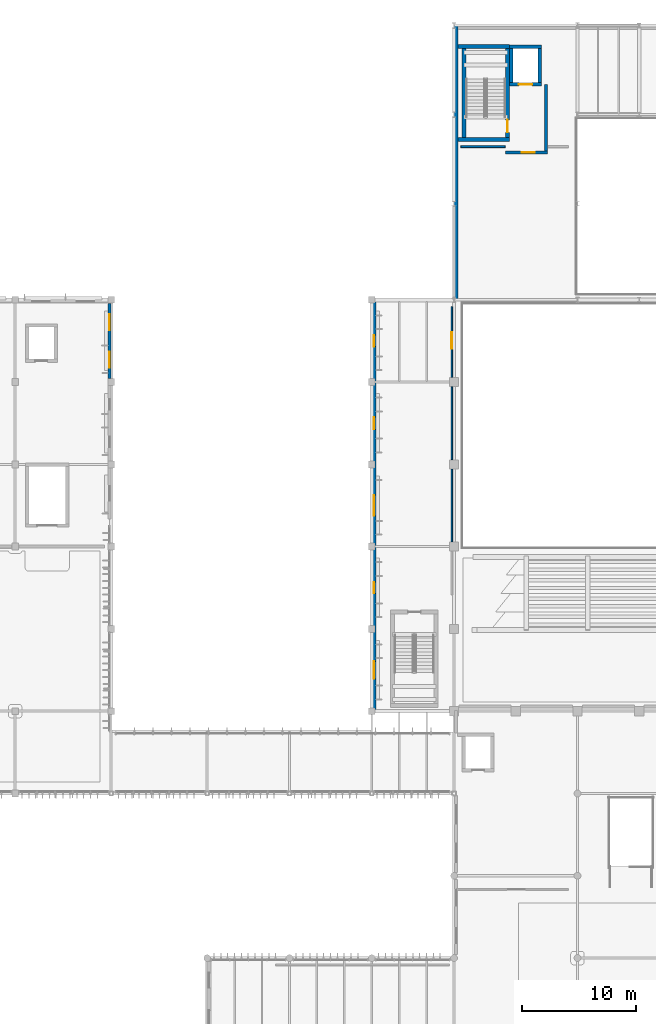
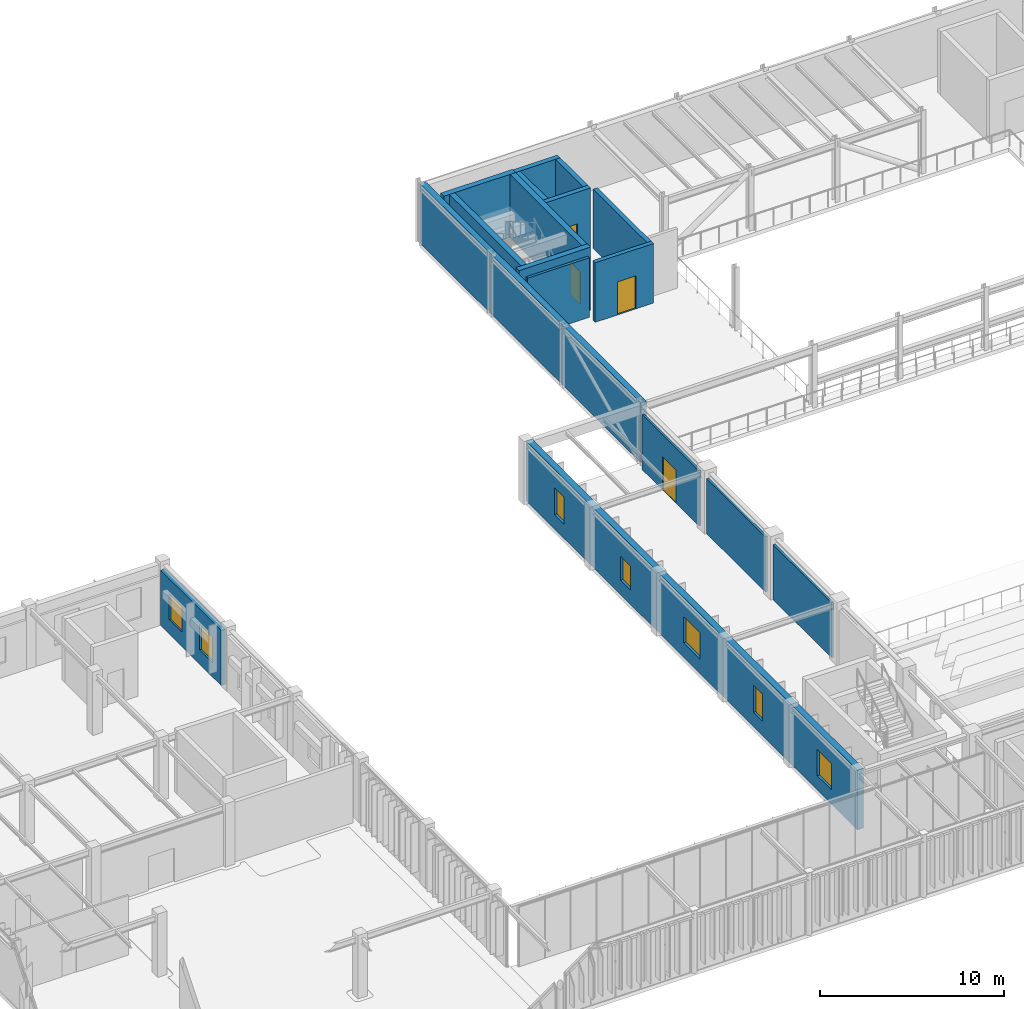
# One storey, part 43 of 104: 17 walls, 7 windows, 4 doors, 11 openings.
"""IFC4 building model written with IfcOpenShell, lengths in metres."""

import ifcopenshell
import ifcopenshell.guid

model = None  # the IFC model being written
_history = None  # IfcOwnerHistory: only IFC2X3 demands one
_inside = {}  # id of a spatial element -> (the spatial element, [elements in it])
_under = {}  # id of a project, library or spatial element -> (it, [spatial elements below it])
_declared = {}  # id of a project -> (the project, [libraries it declares])
_typed = {}  # id of a type object -> (the type object, [elements of that type])
_made_of = {}  # id of a material, layer set ... -> (it, [elements and type objects made of it])


def new_model(schema):
    """Start an empty IFC model of exactly this schema.

    Asked for "IFC4X3", IfcOpenShell would pick the latest addendum, in which some entities
    have other attributes; the version numbers below select the first issue.
    IFC2X3 requires an IfcOwnerHistory on every rooted entity: one is made here for all.
    """
    global model, _history
    if schema == "IFC4X3":
        model = ifcopenshell.file(schema_version=(4, 3, 0, 0))
    else:
        model = ifcopenshell.file(schema=schema)
    _inside.clear()
    _under.clear()
    _declared.clear()
    _typed.clear()
    _made_of.clear()
    _history = None
    if model.schema == "IFC2X3":
        org = make("IfcOrganization", Name="unknown")
        user = make(
            "IfcPersonAndOrganization",
            ThePerson=make("IfcPerson", FamilyName="unknown"),
            TheOrganization=org,
        )
        app = make(
            "IfcApplication",
            ApplicationDeveloper=org,
            Version="unknown",
            ApplicationFullName="unknown",
            ApplicationIdentifier="unknown",
        )
        _history = make(
            "IfcOwnerHistory",
            OwningUser=user,
            OwningApplication=app,
            ChangeAction="ADDED",
            CreationDate=0,
        )
    return model


def make(cls, **values):
    """One entity of the class cls with the attributes given. An attribute that is None is left unset."""
    return model.create_entity(
        cls, **{name: value for name, value in values.items() if value is not None}
    )


def rooted(cls, **values):
    """An entity with a GlobalId (a new one), such as an element, a storey or a relation."""
    return make(cls, GlobalId=ifcopenshell.guid.new(), OwnerHistory=_history, **values)


def si_unit(unit_type, name, prefix=None):
    """IfcSIUnit, for example si_unit("LENGTHUNIT", "METRE", prefix="MILLI")."""
    return make("IfcSIUnit", UnitType=unit_type, Prefix=prefix, Name=name)


def assignment(units):
    """IfcUnitAssignment: the units of a project."""
    return None if units is None else make("IfcUnitAssignment", Units=units)


def point(xyz):
    """IfcCartesianPoint."""
    return None if xyz is None else make("IfcCartesianPoint", Coordinates=xyz)


def direction(xyz):
    """IfcDirection."""
    return None if xyz is None else make("IfcDirection", DirectionRatios=xyz)


def frame(location, z_axis=None, x_axis=None):
    """IfcAxis2Placement3D, a coordinate frame: its origin and axes. An axis left out is left unset."""
    return make(
        "IfcAxis2Placement3D",
        Location=point(location),
        Axis=direction(z_axis),
        RefDirection=direction(x_axis),
    )


def frame_2d(location, x_axis=None):
    """IfcAxis2Placement2D, a coordinate frame in the plane: its origin and x axis."""
    return make(
        "IfcAxis2Placement2D", Location=point(location), RefDirection=direction(x_axis)
    )


def origin():
    """The frame at (0, 0, 0) with its axes left unset."""
    return frame((0.0, 0.0, 0.0))


def place(relative_to, where):
    """IfcLocalPlacement: puts the frame where relative to a parent placement (None: the world)."""
    return make(
        "IfcLocalPlacement", PlacementRelTo=relative_to, RelativePlacement=where
    )


def context(
    kind, dimensions, precision=None, world=None, true_north=None, identifier=None
):
    """IfcGeometricRepresentationContext, for example the 3D "Model" context."""
    return make(
        "IfcGeometricRepresentationContext",
        ContextIdentifier=identifier,
        ContextType=kind,
        CoordinateSpaceDimension=dimensions,
        Precision=precision,
        WorldCoordinateSystem=world,
        TrueNorth=true_north,
    )


def subcontext(parent, identifier, kind, view, scale=None):
    """IfcGeometricRepresentationSubContext, for example "Body" below "Model"."""
    return make(
        "IfcGeometricRepresentationSubContext",
        ContextIdentifier=identifier,
        ContextType=kind,
        ParentContext=parent,
        TargetScale=scale,
        TargetView=view,
    )


def project(units=None, contexts=None):
    """IfcProject with its units and contexts."""
    return rooted(
        "IfcProject",
        Name="project",
        RepresentationContexts=contexts,
        UnitsInContext=assignment(units),
    )


def spatial(cls, under=None, at=None, **own):
    """A site, building, storey or space (cls), placed at a placement, below another one or the project."""
    s = rooted(cls, ObjectPlacement=at, **own)
    if under is not None:
        _under.setdefault(under.id(), (under, []))[1].append(s)
    return s


def profile(cls, at=None, kind="AREA", **sizes):
    """A parametric profile (cls). Its sizes go by their IFC names, for example OverallWidth=200.0."""
    return make(cls, ProfileType=kind, Position=at, **sizes)


def rectangle(**sizes):
    """IfcRectangleProfileDef."""
    return profile("IfcRectangleProfileDef", **sizes)


def extrude(swept, where, along, depth):
    """IfcExtrudedAreaSolid: the profile swept, set in the frame where, extruded along a direction by depth."""
    return make(
        "IfcExtrudedAreaSolid",
        SweptArea=swept,
        Position=where,
        ExtrudedDirection=direction(along),
        Depth=depth,
    )


def shape(context_of_items, identifier, shape_type, items):
    """IfcShapeRepresentation: the items that make up one representation, for example the "Body"."""
    return make(
        "IfcShapeRepresentation",
        ContextOfItems=context_of_items,
        RepresentationIdentifier=identifier,
        RepresentationType=shape_type,
        Items=items,
    )


def material(Name=None, Category=None):
    """IfcMaterial."""
    return make("IfcMaterial", Name=Name, Category=Category)


def layer(
    of_material, thickness, ventilated=None, Name=None, Category=None, Priority=None
):
    """IfcMaterialLayer: one layer of a wall or slab, of a material (None: an air gap)."""
    return make(
        "IfcMaterialLayer",
        Material=of_material,
        LayerThickness=thickness,
        IsVentilated=ventilated,
        Name=Name,
        Category=Category,
        Priority=Priority,
    )


def layer_set(layers, Name=None):
    """IfcMaterialLayerSet."""
    return make("IfcMaterialLayerSet", MaterialLayers=layers, LayerSetName=Name)


def made_of(thing, what):
    """Note that an element or type object is made of a material, layer set ...; save() writes the relation."""
    if what is not None:
        _made_of.setdefault(what.id(), (what, []))[1].append(thing)
    return thing


def type_object(cls, material=None, **own):
    """A type object (cls), such as IfcWallType, which elements share."""
    return made_of(rooted(cls, **own), material)


def element(
    cls,
    number,
    at=None,
    inside=None,
    cuts=None,
    type_object=None,
    material=None,
    context=None,
    identifier="Body",
    shape_type=None,
    held_by="IfcProductDefinitionShape",
    body=None,
    shapes=None,
    **own,
):
    """One element of the class cls, such as IfcWall. Its Tag is "e" and its number.

    at: its placement. inside: the storey or other place that contains it. cuts: it is an
    opening in that element (IfcRelVoidsElement). A single representation is given by context,
    identifier, shape_type and body (its items); several are given by shapes. held_by: the class
    of the entity that holds the representations. save() writes the other relations.
    """
    e = rooted(cls, Tag="e%d" % number, ObjectPlacement=at, **own)
    if body is not None:
        shapes = [shape(context, identifier, shape_type, body)]
    if shapes is not None:
        e.Representation = make(held_by, Representations=shapes)
    if inside is not None:
        _inside.setdefault(inside.id(), (inside, []))[1].append(e)
    if cuts is not None:
        rooted(
            "IfcRelVoidsElement", RelatingBuildingElement=cuts, RelatedOpeningElement=e
        )
    if type_object is not None:
        _typed.setdefault(type_object.id(), (type_object, []))[1].append(e)
    return made_of(e, material)


def fill(opening, filler):
    """IfcRelFillsElement: the door or window that sits in an opening."""
    return rooted(
        "IfcRelFillsElement",
        RelatingOpeningElement=opening,
        RelatedBuildingElement=filler,
    )


def aggregate(whole, parts):
    """IfcRelAggregates: a whole, such as a stair, and the parts it consists of."""
    return rooted("IfcRelAggregates", RelatingObject=whole, RelatedObjects=parts)


def save(model, path):
    """Write the relations noted so far, then the file.

    IfcRelAggregates (storeys below a building ...), IfcRelContainedInSpatialStructure (elements
    in a storey), IfcRelDefinesByType, IfcRelAssociatesMaterial and IfcRelDeclares: one each for
    every whole, place, type object, material and project.
    """
    for whole, parts in _under.values():
        aggregate(whole, parts)
    for where, things in _inside.values():
        rooted(
            "IfcRelContainedInSpatialStructure",
            RelatedElements=things,
            RelatingStructure=where,
        )
    for kind, things in _typed.values():
        rooted("IfcRelDefinesByType", RelatedObjects=things, RelatingType=kind)
    for what, things in _made_of.values():
        rooted("IfcRelAssociatesMaterial", RelatedObjects=things, RelatingMaterial=what)
    for by, libraries in _declared.values():
        rooted("IfcRelDeclares", RelatingContext=by, RelatedDefinitions=libraries)
    model.write(path)


model = new_model("IFC4")

# Units and contexts
model_context = context("Model", 3, precision=1e-05, world=origin(), true_north=direction((0.0, 1.0)))
body_context = subcontext(model_context, "Body", "Model", "MODEL_VIEW")
ifc_project = project(units=[si_unit("LENGTHUNIT", "METRE"), si_unit("AREAUNIT", "SQUARE_METRE"), si_unit("VOLUMEUNIT", "CUBIC_METRE"), si_unit("PLANEANGLEUNIT", "RADIAN"), si_unit("MASSUNIT", "GRAM", prefix="KILO")], contexts=[model_context])

# Site, building, storey
site_placement = place(None, origin())
site = spatial("IfcSite", under=ifc_project, at=site_placement, CompositionType="ELEMENT")
building_placement = place(site_placement, origin())
building = spatial("IfcBuilding", under=site, at=building_placement, Name="Tazoul Stagehouse", CompositionType="ELEMENT")
storey_placement = place(building_placement, frame((0.0, 0.0, 9.0)))
storey = spatial("IfcBuildingStorey", under=building, at=storey_placement, Name="L02", CompositionType="ELEMENT", Elevation=9.0)

# Wall
ifc_material_1 = material(Name="Ochre Fired Clay Facing Brick Masonry", Category="masonry")
ifc_layer_1 = layer(ifc_material_1, 0.360107421875, Name="Ochre Fired Clay Facing Brick Masonry")
ifc_layer_set_1 = layer_set([ifc_layer_1], Name="Ochre Fired Clay Facing Brick Masonry")
wall_type_1 = type_object("IfcWallType", Name="Acoustic Stagehouse Masonry-Concrete Cavity Wall 360", PredefinedType="SOLIDWALL", material=ifc_layer_set_1)
wall_1_placement = place(storey_placement, frame((57.780029296875, 87.800048828125, 0.0), z_axis=(0.0, 0.0, 1.0), x_axis=(0.0, 1.0, 0.0)))
element("IfcWall", 1, at=wall_1_placement, inside=storey, type_object=wall_type_1, Name="L02 Wall EW-360 (WALL-V2-W-L02-S1)", PredefinedType="SOLIDWALL", context=body_context, shape_type="SweptSolid", body=[
    extrude(rectangle(XDim=24.0, YDim=0.360107421875, at=frame_2d((12.0, 0.0))), origin(), (0.0, 0.0, 1.0), 3.9599609375),
])

# Wall, openings, windows
ifc_material_2 = material(Name="Concrete C40/50", Category="concrete")
ifc_layer_2 = layer(ifc_material_2, 0.3798828125, Name="Concrete C40/50")
ifc_layer_set_2 = layer_set([ifc_layer_2], Name="Concrete C40/50")
wall_type_2 = type_object("IfcWallType", Name="Auditorium Shell Acoustic Perimeter Wall 380", PredefinedType="SOLIDWALL", material=ifc_layer_set_2)
wall_2_placement = place(storey_placement, frame((50.590087890625, 51.800048828125, 0.0), z_axis=(0.0, 0.0, 1.0), x_axis=(0.0, 1.0, 0.0)))
wall_2 = element("IfcWall", 2, at=wall_2_placement, inside=storey, type_object=wall_type_2, Name="L02 Wall EW-380 (WALL-V1-W-L02-S1)", PredefinedType="SOLIDWALL", context=body_context, shape_type="SweptSolid", body=[
    extrude(rectangle(XDim=36.0, YDim=0.3798828125, at=frame_2d((18.0, 0.0))), origin(), (0.0, 0.0, 1.0), 3.9599609375),
])
opening_1_placement = place(wall_2_placement, frame((2.8349609375, 0.0, 0.949951171875)))
opening_1 = element("IfcOpeningElement", 3, at=opening_1_placement, cuts=wall_2, Name="Opening WN-54", PredefinedType="OPENING", context=body_context, shape_type="SweptSolid", body=[
    extrude(rectangle(XDim=1.530029296875, YDim=1.75, at=frame_2d((0.76513671875, 0.875))), frame((0.0, 0.2099609375, 0.0), z_axis=(0.0, -1.0, 0.0), x_axis=(1.0, 0.0, 0.0)), (0.0, 0.0, 1.0), 0.419921875),
])
opening_2_placement = place(wall_2_placement, frame((10.304931640625, 0.0, 0.949951171875)))
opening_2 = element("IfcOpeningElement", 4, at=opening_2_placement, cuts=wall_2, Name="Opening WN-61", PredefinedType="OPENING", context=body_context, shape_type="SweptSolid", body=[
    extrude(rectangle(XDim=0.989990234375, YDim=1.800048828125, at=frame_2d((0.4951171875, 0.89990234375))), frame((0.0, 0.2099609375, 0.0), z_axis=(0.0, -1.0, 0.0), x_axis=(1.0, 0.0, 0.0)), (0.0, 0.0, 1.0), 0.419921875),
])
opening_3_placement = place(wall_2_placement, frame((17.10009765625, 0.0, 0.949951171875)))
opening_3 = element("IfcOpeningElement", 5, at=opening_3_placement, cuts=wall_2, Name="Opening WN-30", PredefinedType="OPENING", context=body_context, shape_type="SweptSolid", body=[
    extrude(rectangle(XDim=1.800048828125, YDim=1.75, at=frame_2d((0.89990234375, 0.875))), frame((0.0, 0.2099609375, 0.0), z_axis=(0.0, -1.0, 0.0), x_axis=(1.0, 0.0, 0.0)), (0.0, 0.0, 1.0), 0.419921875),
])
opening_4_placement = place(wall_2_placement, frame((24.659912109375, 0.0, 0.949951171875)))
opening_4 = element("IfcOpeningElement", 6, at=opening_4_placement, cuts=wall_2, Name="Opening WN-39", PredefinedType="OPENING", context=body_context, shape_type="SweptSolid", body=[
    extrude(rectangle(XDim=1.080078125, YDim=1.60009765625, at=frame_2d((0.5400390625, 0.800048828125))), frame((0.0, 0.2099609375, 0.0), z_axis=(0.0, -1.0, 0.0), x_axis=(1.0, 0.0, 0.0)), (0.0, 0.0, 1.0), 0.419921875),
])
opening_5_placement = place(wall_2_placement, frame((31.889892578125, 0.0, 0.949951171875)))
opening_5 = element("IfcOpeningElement", 7, at=opening_5_placement, cuts=wall_2, Name="Opening WN-62", PredefinedType="OPENING", context=body_context, shape_type="SweptSolid", body=[
    extrude(rectangle(XDim=1.02001953125, YDim=1.800048828125, at=frame_2d((0.510009765625, 0.89990234375))), frame((0.0, 0.2099609375, 0.0), z_axis=(0.0, -1.0, 0.0), x_axis=(1.0, 0.0, 0.0)), (0.0, 0.0, 1.0), 0.419921875),
])
ifc_material_3 = material(Name="Double Low-E Acoustic Laminated Glass", Category="glass")
window_type_1 = type_object("IfcWindowType", Name="Architectural Acoustic Facade Window 1020x1800", PartitioningType="SINGLE_PANEL", PredefinedType="WINDOW", material=ifc_material_3)
window_1_placement = place(opening_5_placement, origin())
window_1 = element("IfcWindow", 8, at=window_1_placement, inside=storey, type_object=window_type_1, Name="L02 Window WN-62 (WALL-V1-W-L02-S1-B5-W1)", OverallHeight=1.800048828125, OverallWidth=1.02001953125, PartitioningType="SINGLE_PANEL", PredefinedType="WINDOW", context=body_context, shape_type="SweptSolid", body=[
    extrude(rectangle(XDim=1.02001953125, YDim=1.800048828125, at=frame_2d((0.510009765625, 0.89990234375))), frame((0.0, 0.030029296875, 0.0), z_axis=(0.0, -1.0, 0.0), x_axis=(1.0, 0.0, 0.0)), (0.0, 0.0, 1.0), 0.06005859375),
])
fill(opening_5, window_1)
window_type_2 = type_object("IfcWindowType", Name="Architectural Acoustic Facade Window 1080x1600", PartitioningType="SINGLE_PANEL", PredefinedType="WINDOW", material=ifc_material_3)
window_2_placement = place(opening_4_placement, origin())
window_2 = element("IfcWindow", 9, at=window_2_placement, inside=storey, type_object=window_type_2, Name="L02 Window WN-39 (WALL-V1-W-L02-S1-B4-W1)", OverallHeight=1.60009765625, OverallWidth=1.080078125, PartitioningType="SINGLE_PANEL", PredefinedType="WINDOW", context=body_context, shape_type="SweptSolid", body=[
    extrude(rectangle(XDim=1.080078125, YDim=1.60009765625, at=frame_2d((0.5400390625, 0.800048828125))), frame((0.0, 0.030029296875, 0.0), z_axis=(0.0, -1.0, 0.0), x_axis=(1.0, 0.0, 0.0)), (0.0, 0.0, 1.0), 0.06005859375),
])
fill(opening_4, window_2)
window_type_3 = type_object("IfcWindowType", Name="Architectural Acoustic Facade Window 1530x1750", PartitioningType="SINGLE_PANEL", PredefinedType="WINDOW", material=ifc_material_3)
window_3_placement = place(opening_1_placement, origin())
window_3 = element("IfcWindow", 10, at=window_3_placement, inside=storey, type_object=window_type_3, Name="L02 Window WN-54 (WALL-V1-W-L02-S1-B1-W1)", OverallHeight=1.75, OverallWidth=1.530029296875, PartitioningType="SINGLE_PANEL", PredefinedType="WINDOW", context=body_context, shape_type="SweptSolid", body=[
    extrude(rectangle(XDim=1.530029296875, YDim=1.75, at=frame_2d((0.76513671875, 0.875))), frame((0.0, 0.030029296875, 0.0), z_axis=(0.0, -1.0, 0.0), x_axis=(1.0, 0.0, 0.0)), (0.0, 0.0, 1.0), 0.06005859375),
])
fill(opening_1, window_3)
window_type_4 = type_object("IfcWindowType", Name="Architectural Acoustic Facade Window 990x1800", PartitioningType="SINGLE_PANEL", PredefinedType="WINDOW", material=ifc_material_3)
window_4_placement = place(opening_2_placement, origin())
window_4 = element("IfcWindow", 11, at=window_4_placement, inside=storey, type_object=window_type_4, Name="L02 Window WN-61 (WALL-V1-W-L02-S1-B2-W1)", OverallHeight=1.800048828125, OverallWidth=0.989990234375, PartitioningType="SINGLE_PANEL", PredefinedType="WINDOW", context=body_context, shape_type="SweptSolid", body=[
    extrude(rectangle(XDim=0.989990234375, YDim=1.800048828125, at=frame_2d((0.4951171875, 0.89990234375))), frame((0.0, 0.030029296875, 0.0), z_axis=(0.0, -1.0, 0.0), x_axis=(1.0, 0.0, 0.0)), (0.0, 0.0, 1.0), 0.06005859375),
])
fill(opening_2, window_4)
window_type_5 = type_object("IfcWindowType", Name="Black-Box Studio Window 1800x1750", PartitioningType="SINGLE_PANEL", PredefinedType="WINDOW", material=ifc_material_3)
window_5_placement = place(opening_3_placement, origin())
window_5 = element("IfcWindow", 12, at=window_5_placement, inside=storey, type_object=window_type_5, Name="L02 Window WN-30 (WALL-V1-W-L02-S1-B3-W1)", OverallHeight=1.75, OverallWidth=1.800048828125, PartitioningType="SINGLE_PANEL", PredefinedType="WINDOW", context=body_context, shape_type="SweptSolid", body=[
    extrude(rectangle(XDim=1.800048828125, YDim=1.75, at=frame_2d((0.89990234375, 0.875))), frame((0.0, 0.030029296875, 0.0), z_axis=(0.0, -1.0, 0.0), x_axis=(1.0, 0.0, 0.0)), (0.0, 0.0, 1.0), 0.06005859375),
])
fill(opening_3, window_5)

# Walls
ifc_layer_3 = layer(ifc_material_2, 0.35009765625, Name="Concrete C40/50")
ifc_layer_set_3 = layer_set([ifc_layer_3], Name="Concrete C40/50")
wall_type_3 = type_object("IfcWallType", Name="Core Shear Wall 350", PredefinedType="SOLIDWALL", material=ifc_layer_set_3)
wall_3_placement = place(storey_placement, frame((62.449951171875, 101.824951171875, 0.0), z_axis=(0.0, 0.0, 1.0), x_axis=(-1.0, 0.0, 0.0)))
element("IfcWall", 13, at=wall_3_placement, inside=storey, type_object=wall_type_3, Name="L02 Core Wall CW-350 (SHF-ST-03-south)", PredefinedType="SOLIDWALL", context=body_context, shape_type="SweptSolid", body=[
    extrude(rectangle(XDim=4.489990234375, YDim=0.35009765625, at=frame_2d((2.2451171875, 0.0))), origin(), (0.0, 0.0, 1.0), 4.199951171875),
])
wall_4_placement = place(storey_placement, frame((58.47509765625, 102.0, 0.0), z_axis=(0.0, 0.0, 1.0), x_axis=(0.0, 1.0, 0.0)))
element("IfcWall", 14, at=wall_4_placement, inside=storey, type_object=wall_type_3, Name="L02 Core Wall CW-350 (SHF-ST-03-west)", PredefinedType="SOLIDWALL", context=body_context, shape_type="SweptSolid", body=[
    extrude(rectangle(XDim=7.800048828125, YDim=0.35009765625, at=frame_2d((3.89990234375, 0.0))), origin(), (0.0, 0.0, 1.0), 4.199951171875),
])
wall_5_placement = place(storey_placement, frame((57.9599609375, 109.97509765625, 0.0), z_axis=(0.0, 0.0, 1.0), x_axis=(1.0, 0.0, 0.0)))
element("IfcWall", 15, at=wall_5_placement, inside=storey, type_object=wall_type_3, Name="L02 Core Wall CW-350 (SHF-ST-03-north)", PredefinedType="SOLIDWALL", context=body_context, shape_type="SweptSolid", body=[
    extrude(rectangle(XDim=4.489990234375, YDim=0.35009765625, at=frame_2d((2.2451171875, 0.0))), origin(), (0.0, 0.0, 1.0), 4.199951171875),
])

# Wall, opening, door
wall_6_placement = place(storey_placement, frame((62.27490234375, 109.800048828125, 0.0), z_axis=(0.0, 0.0, 1.0), x_axis=(0.0, -1.0, 0.0)))
wall_6 = element("IfcWall", 16, at=wall_6_placement, inside=storey, type_object=wall_type_3, Name="L02 Core Wall CW-350 (SHF-ST-03-east)", PredefinedType="SOLIDWALL", context=body_context, shape_type="SweptSolid", body=[
    extrude(rectangle(XDim=7.800048828125, YDim=0.35009765625, at=frame_2d((3.89990234375, 0.0))), origin(), (0.0, 0.0, 1.0), 4.199951171875),
])
opening_6_placement = place(wall_6_placement, frame((6.25, 0.0, 0.0)))
opening_6 = element("IfcOpeningElement", 17, at=opening_6_placement, cuts=wall_6, Name="Opening FD-01", PredefinedType="OPENING", context=body_context, shape_type="SweptSolid", body=[
    extrude(rectangle(XDim=1.10009765625, YDim=2.14990234375, at=frame_2d((0.550048828125, 1.074951171875))), frame((0.0, 0.195068359375, 0.0), z_axis=(0.0, -1.0, 0.0), x_axis=(1.0, 0.0, 0.0)), (0.0, 0.0, 1.0), 0.39013671875),
])
ifc_material_4 = material(Name="Powder-Coated Galvanised Acoustic Steel", Category="steel")
door_type_1 = type_object("IfcDoorType", Name="Core Escape Stair Fire Door 1100x2150", OperationType="NOTDEFINED", PredefinedType="DOOR", material=ifc_material_4)
door_1_placement = place(opening_6_placement, origin())
door_1 = element("IfcDoor", 18, at=door_1_placement, inside=storey, type_object=door_type_1, Name="L02 Escape Stair Fire Door FD-01 (ST-03)", OperationType="SINGLE_SWING_LEFT", OverallHeight=2.14990234375, OverallWidth=1.10009765625, PredefinedType="DOOR", context=body_context, shape_type="SweptSolid", body=[
    extrude(rectangle(XDim=1.10009765625, YDim=2.14990234375, at=frame_2d((0.550048828125, 1.074951171875))), frame((0.0, 0.02490234375, 0.0), z_axis=(0.0, -1.0, 0.0), x_axis=(1.0, 0.0, 0.0)), (0.0, 0.0, 1.0), 0.050048828125),
])
fill(opening_6, door_1)

# Wall
ifc_material_5 = material(Name="Gypsum Acoustic Partition", Category="gypsum")
ifc_layer_4 = layer(ifc_material_5, 0.169921875, Name="Gypsum Acoustic Partition")
ifc_layer_set_4 = layer_set([ifc_layer_4], Name="Gypsum Acoustic Partition")
wall_type_4 = type_object("IfcWallType", Name="Corridor Fire-Rated Partition 170", PredefinedType="PARTITIONING", material=ifc_layer_set_4)
wall_7_placement = place(storey_placement, frame((58.199951171875, 101.199951171875, 0.0), z_axis=(0.0, 0.0, 1.0), x_axis=(1.0, 0.0, 0.0)))
element("IfcWall", 19, at=wall_7_placement, inside=storey, type_object=wall_type_4, Name="L02 Partition PW-170 (PW-RM-L02-058-N-S1)", PredefinedType="PARTITIONING", context=body_context, shape_type="SweptSolid", body=[
    extrude(rectangle(XDim=3.860107421875, YDim=0.169921875, at=frame_2d((1.93017578125, 0.0))), origin(), (0.0, 0.0, 1.0), 3.949951171875),
])

# Wall, opening, door
ifc_layer_5 = layer(ifc_material_2, 0.260009765625, Name="Concrete C40/50")
ifc_layer_set_5 = layer_set([ifc_layer_5], Name="Concrete C40/50")
wall_type_5 = type_object("IfcWallType", Name="Firefighting Lobby Wall 260", PredefinedType="SOLIDWALL", material=ifc_layer_set_5)
wall_8_placement = place(storey_placement, frame((65.760009765625, 100.669921875, 0.0), z_axis=(0.0, 0.0, 1.0), x_axis=(-1.0, 0.0, 0.0)))
wall_8 = element("IfcWall", 20, at=wall_8_placement, inside=storey, type_object=wall_type_5, Name="L02 Firefighting Lobby Wall CW-260 (C3-S)", PredefinedType="SOLIDWALL", context=body_context, shape_type="SweptSolid", body=[
    extrude(rectangle(XDim=3.659912109375, YDim=0.260009765625, at=frame_2d((1.830078125, 0.0))), origin(), (0.0, 0.0, 1.0), 3.949951171875),
])
opening_7_placement = place(wall_8_placement, frame((1.10009765625, 0.0, 0.0)))
opening_7 = element("IfcOpeningElement", 21, at=opening_7_placement, cuts=wall_8, Name="Opening FD-02", PredefinedType="OPENING", context=body_context, shape_type="SweptSolid", body=[
    extrude(rectangle(XDim=1.14990234375, YDim=2.199951171875, at=frame_2d((0.574951171875, 1.10009765625))), frame((0.0, 0.14990234375, 0.0), z_axis=(0.0, -1.0, 0.0), x_axis=(1.0, 0.0, 0.0)), (0.0, 0.0, 1.0), 0.300048828125),
])
door_type_2 = type_object("IfcDoorType", Name="Firefighting Lobby Fire Door 1150x2200", OperationType="NOTDEFINED", PredefinedType="DOOR", material=ifc_material_4)
door_2_placement = place(opening_7_placement, origin())
door_2 = element("IfcDoor", 22, at=door_2_placement, inside=storey, type_object=door_type_2, Name="L02 Firefighting Lobby Door FD-02 (C3)", OperationType="SINGLE_SWING_RIGHT", OverallHeight=2.199951171875, OverallWidth=1.14990234375, PredefinedType="DOOR", context=body_context, shape_type="SweptSolid", body=[
    extrude(rectangle(XDim=1.14990234375, YDim=2.199951171875, at=frame_2d((0.574951171875, 1.10009765625))), frame((0.0, 0.02490234375, 0.0), z_axis=(0.0, -1.0, 0.0), x_axis=(1.0, 0.0, 0.0)), (0.0, 0.0, 1.0), 0.050048828125),
])
fill(opening_7, door_2)

# Wall
wall_9_placement = place(storey_placement, frame((65.6298828125, 106.64990234375, 0.0), z_axis=(0.0, 0.0, 1.0), x_axis=(0.0, -1.0, 0.0)))
element("IfcWall", 23, at=wall_9_placement, inside=storey, type_object=wall_type_5, Name="L02 Firefighting Lobby Wall CW-260 (C3-E)", PredefinedType="SOLIDWALL", context=body_context, shape_type="SweptSolid", body=[
    extrude(rectangle(XDim=5.849853515625, YDim=0.260009765625, at=frame_2d((2.9248046875, 0.0))), origin(), (0.0, 0.0, 1.0), 3.949951171875),
])

# Wall, openings, windows
ifc_material_6 = material(Name="Precast concrete C40/50", Category="concrete")
ifc_layer_6 = layer(ifc_material_6, 0.280029296875, Name="Precast concrete C40/50")
ifc_layer_set_6 = layer_set([ifc_layer_6], Name="Precast concrete C40/50")
wall_type_6 = type_object("IfcWallType", Name="Insulated Precast Acoustic Cladding Wall 280", PredefinedType="SOLIDWALL", material=ifc_layer_set_6)
wall_10_placement = place(storey_placement, frame((27.449951171875, 80.905029296875, 0.0), z_axis=(0.0, 0.0, 1.0), x_axis=(0.0, 1.0, 0.0)))
wall_10 = element("IfcWall", 24, at=wall_10_placement, inside=storey, type_object=wall_type_6, Name="L02 Wall EW-280 (WALL-V6-E2-L02-S3)", PredefinedType="SOLIDWALL", context=body_context, shape_type="SweptSolid", body=[
    extrude(rectangle(XDim=6.590087890625, YDim=0.280029296875, at=frame_2d((3.294921875, 0.0))), origin(), (0.0, 0.0, 1.0), 3.6630859375),
])
opening_8_placement = place(wall_10_placement, frame((0.9423828125, 0.0, 0.949951171875)))
opening_8 = element("IfcOpeningElement", 25, at=opening_8_placement, cuts=wall_10, Name="Opening WN-50", PredefinedType="OPENING", context=body_context, shape_type="SweptSolid", body=[
    extrude(rectangle(XDim=1.409912109375, YDim=1.699951171875, at=frame_2d((0.705078125, 0.85009765625))), frame((0.0, 0.159912109375, 0.0), z_axis=(0.0, -1.0, 0.0), x_axis=(1.0, 0.0, 0.0)), (0.0, 0.0, 1.0), 0.320068359375),
])
opening_9_placement = place(wall_10_placement, frame((4.237548828125, 0.0, 0.949951171875)))
opening_9 = element("IfcOpeningElement", 26, at=opening_9_placement, cuts=wall_10, Name="Opening WN-50", PredefinedType="OPENING", context=body_context, shape_type="SweptSolid", body=[
    extrude(rectangle(XDim=1.409912109375, YDim=1.699951171875, at=frame_2d((0.705078125, 0.85009765625))), frame((0.0, 0.159912109375, 0.0), z_axis=(0.0, -1.0, 0.0), x_axis=(1.0, 0.0, 0.0)), (0.0, 0.0, 1.0), 0.320068359375),
])
window_type_6 = type_object("IfcWindowType", Name="Architectural Acoustic Facade Window 1410x1700", PartitioningType="SINGLE_PANEL", PredefinedType="WINDOW", material=ifc_material_3)
window_6_placement = place(opening_8_placement, origin())
window_6 = element("IfcWindow", 27, at=window_6_placement, inside=storey, type_object=window_type_6, Name="L02 Window WN-50 (WALL-V6-E2-L02-S3-W1)", OverallHeight=1.699951171875, OverallWidth=1.409912109375, PartitioningType="SINGLE_PANEL", PredefinedType="WINDOW", context=body_context, shape_type="SweptSolid", body=[
    extrude(rectangle(XDim=1.409912109375, YDim=1.699951171875, at=frame_2d((0.705078125, 0.85009765625))), frame((0.0, 0.030029296875, 0.0), z_axis=(0.0, -1.0, 0.0), x_axis=(1.0, 0.0, 0.0)), (0.0, 0.0, 1.0), 0.06005859375),
])
fill(opening_8, window_6)
window_7_placement = place(opening_9_placement, origin())
window_7 = element("IfcWindow", 28, at=window_7_placement, inside=storey, type_object=window_type_6, Name="L02 Window WN-50 (WALL-V6-E2-L02-S3-W2)", OverallHeight=1.699951171875, OverallWidth=1.409912109375, PartitioningType="SINGLE_PANEL", PredefinedType="WINDOW", context=body_context, shape_type="SweptSolid", body=[
    extrude(rectangle(XDim=1.409912109375, YDim=1.699951171875, at=frame_2d((0.705078125, 0.85009765625))), frame((0.0, 0.030029296875, 0.0), z_axis=(0.0, -1.0, 0.0), x_axis=(1.0, 0.0, 0.0)), (0.0, 0.0, 1.0), 0.06005859375),
])
fill(opening_9, window_7)

# Wall, opening, door
ifc_layer_7 = layer(ifc_material_2, 0.300048828125, Name="Concrete C40/50")
ifc_layer_set_7 = layer_set([ifc_layer_7], Name="Concrete C40/50")
wall_type_7 = type_object("IfcWallType", Name="Lift Shaft Wall 300", PredefinedType="SOLIDWALL", material=ifc_layer_set_7)
wall_11_placement = place(storey_placement, frame((65.25, 106.64990234375, 0.0), z_axis=(0.0, 0.0, 1.0), x_axis=(-1.0, 0.0, 0.0)))
wall_11 = element("IfcWall", 29, at=wall_11_placement, inside=storey, type_object=wall_type_7, Name="L02 Core Wall CW-300 (LSHF-FFL-02-south)", PredefinedType="SOLIDWALL", context=body_context, shape_type="SweptSolid", body=[
    extrude(rectangle(XDim=2.800048828125, YDim=0.300048828125, at=frame_2d((1.39990234375, 0.0))), origin(), (0.0, 0.0, 1.0), 4.199951171875),
])
opening_10_placement = place(wall_11_placement, frame((0.824951171875, 0.0, 0.0)))
opening_10 = element("IfcOpeningElement", 30, at=opening_10_placement, cuts=wall_11, Name="Opening LD-02", PredefinedType="OPENING", context=body_context, shape_type="SweptSolid", body=[
    extrude(rectangle(XDim=1.14990234375, YDim=2.10009765625, at=frame_2d((0.574951171875, 1.050048828125))), frame((0.0, 0.169921875, 0.0), z_axis=(0.0, -1.0, 0.0), x_axis=(1.0, 0.0, 0.0)), (0.0, 0.0, 1.0), 0.340087890625),
])
door_type_3 = type_object("IfcDoorType", Name="Firefighter Lift Sliding Landing Door 1150x2100", OperationType="DOUBLE_DOOR_SLIDING", PredefinedType="DOOR", material=ifc_material_4)
door_3_placement = place(opening_10_placement, origin())
door_3 = element("IfcDoor", 31, at=door_3_placement, inside=storey, type_object=door_type_3, Name="L02 Lift Landing Sliding Door LD-02 (FFL-02)", OperationType="DOUBLE_DOOR_SLIDING", OverallHeight=2.10009765625, OverallWidth=1.14990234375, PredefinedType="DOOR", context=body_context, shape_type="SweptSolid", body=[
    extrude(rectangle(XDim=1.14990234375, YDim=2.10009765625, at=frame_2d((0.574951171875, 1.050048828125))), frame((0.0, 0.02490234375, 0.0), z_axis=(0.0, -1.0, 0.0), x_axis=(1.0, 0.0, 0.0)), (0.0, 0.0, 1.0), 0.050048828125),
])
fill(opening_10, door_3)

# Walls
wall_12_placement = place(storey_placement, frame((62.60009765625, 106.800048828125, 0.0), z_axis=(0.0, 0.0, 1.0), x_axis=(0.0, 1.0, 0.0)))
element("IfcWall", 32, at=wall_12_placement, inside=storey, type_object=wall_type_7, Name="L02 Core Wall CW-300 (LSHF-FFL-02-west)", PredefinedType="SOLIDWALL", context=body_context, shape_type="SweptSolid", body=[
    extrude(rectangle(XDim=3.0, YDim=0.300048828125, at=frame_2d((1.5, 0.0))), origin(), (0.0, 0.0, 1.0), 4.199951171875),
])
wall_13_placement = place(storey_placement, frame((62.449951171875, 109.949951171875, 0.0), z_axis=(0.0, 0.0, 1.0), x_axis=(1.0, 0.0, 0.0)))
element("IfcWall", 33, at=wall_13_placement, inside=storey, type_object=wall_type_7, Name="L02 Core Wall CW-300 (LSHF-FFL-02-north)", PredefinedType="SOLIDWALL", context=body_context, shape_type="SweptSolid", body=[
    extrude(rectangle(XDim=2.800048828125, YDim=0.300048828125, at=frame_2d((1.39990234375, 0.0))), origin(), (0.0, 0.0, 1.0), 4.199951171875),
])
wall_14_placement = place(storey_placement, frame((65.10009765625, 109.800048828125, 0.0), z_axis=(0.0, 0.0, 1.0), x_axis=(0.0, -1.0, 0.0)))
element("IfcWall", 34, at=wall_14_placement, inside=storey, type_object=wall_type_7, Name="L02 Core Wall CW-300 (LSHF-FFL-02-east)", PredefinedType="SOLIDWALL", context=body_context, shape_type="SweptSolid", body=[
    extrude(rectangle(XDim=3.0, YDim=0.300048828125, at=frame_2d((1.5, 0.0))), origin(), (0.0, 0.0, 1.0), 4.199951171875),
])

# Wall, opening, door
ifc_layer_8 = layer(ifc_material_5, 0.1298828125, Name="Gypsum Acoustic Partition")
ifc_layer_set_8 = layer_set([ifc_layer_8], Name="Gypsum Acoustic Partition")
wall_type_8 = type_object("IfcWallType", Name="Office Drywall Partition 130", PredefinedType="PARTITIONING", material=ifc_layer_set_8)
wall_15_placement = place(storey_placement, frame((57.39990234375, 87.199951171875, 0.0), z_axis=(0.0, 0.0, 1.0), x_axis=(0.0, -1.0, 0.0)))
wall_15 = element("IfcWall", 35, at=wall_15_placement, inside=storey, type_object=wall_type_8, Name="L02 Partition PW-130 (PW-RM-L02-121-E-S1)", PredefinedType="PARTITIONING", context=body_context, shape_type="SweptSolid", body=[
    extrude(rectangle(XDim=6.179931640625, YDim=0.1298828125, at=frame_2d((3.08984375, 0.0))), origin(), (0.0, 0.0, 1.0), 3.64990234375),
])
opening_11_placement = place(wall_15_placement, frame((2.24658203125, 0.0, 0.0)))
opening_11 = element("IfcOpeningElement", 36, at=opening_11_placement, cuts=wall_15, Name="Opening ID-21", PredefinedType="OPENING", context=body_context, shape_type="SweptSolid", body=[
    extrude(rectangle(XDim=1.449951171875, YDim=2.199951171875, at=frame_2d((0.72509765625, 1.10009765625))), frame((0.0, 0.0849609375, 0.0), z_axis=(0.0, -1.0, 0.0), x_axis=(1.0, 0.0, 0.0)), (0.0, 0.0, 1.0), 0.169921875),
])
ifc_material_7 = material(Name="Acoustic Cedar Timber", Category="wood")
door_type_4 = type_object("IfcDoorType", Name="Press Conference Double Door 1450x2200", OperationType="DOUBLE_DOOR_SINGLE_SWING", PredefinedType="DOOR", material=ifc_material_7)
door_4_placement = place(opening_11_placement, origin())
door_4 = element("IfcDoor", 37, at=door_4_placement, inside=storey, type_object=door_type_4, Name="L02 West Upper Circle Acoustic Gallery Door", OperationType="DOUBLE_DOOR_SINGLE_SWING", OverallHeight=2.199951171875, OverallWidth=1.449951171875, PredefinedType="DOOR", context=body_context, shape_type="SweptSolid", body=[
    extrude(rectangle(XDim=1.449951171875, YDim=2.199951171875, at=frame_2d((0.72509765625, 1.10009765625))), frame((0.0, 0.02490234375, 0.0), z_axis=(0.0, -1.0, 0.0), x_axis=(1.0, 0.0, 0.0)), (0.0, 0.0, 1.0), 0.050048828125),
])
fill(opening_11, door_4)

# Walls
for number, where, z_axis, x_axis, name in (
    (38, (57.39990234375, 80.179931640625, 0.0), (0.0, 0.0, 1.0), (0.0, -1.0, 0.0), "L02 Partition PW-130 (PW-RM-L02-121-E-S2)"),
    (39, (57.39990234375, 72.97998046875, 0.0), (0.0, 0.0, 1.0), (0.0, -1.0, 0.0), "L02 Partition PW-130 (PW-RM-L02-121-E-S3)"),
):
    element("IfcWall", number, at=place(storey_placement, frame(where, z_axis=z_axis, x_axis=x_axis)), inside=storey, type_object=wall_type_8, Name=name, PredefinedType="PARTITIONING", context=body_context, shape_type="SweptSolid", body=[
        extrude(rectangle(XDim=6.35986328125, YDim=0.1298828125, at=frame_2d((3.179931640625, 0.0))), origin(), (0.0, 0.0, 1.0), 3.64990234375),
    ])

save(model, "model.ifc")
